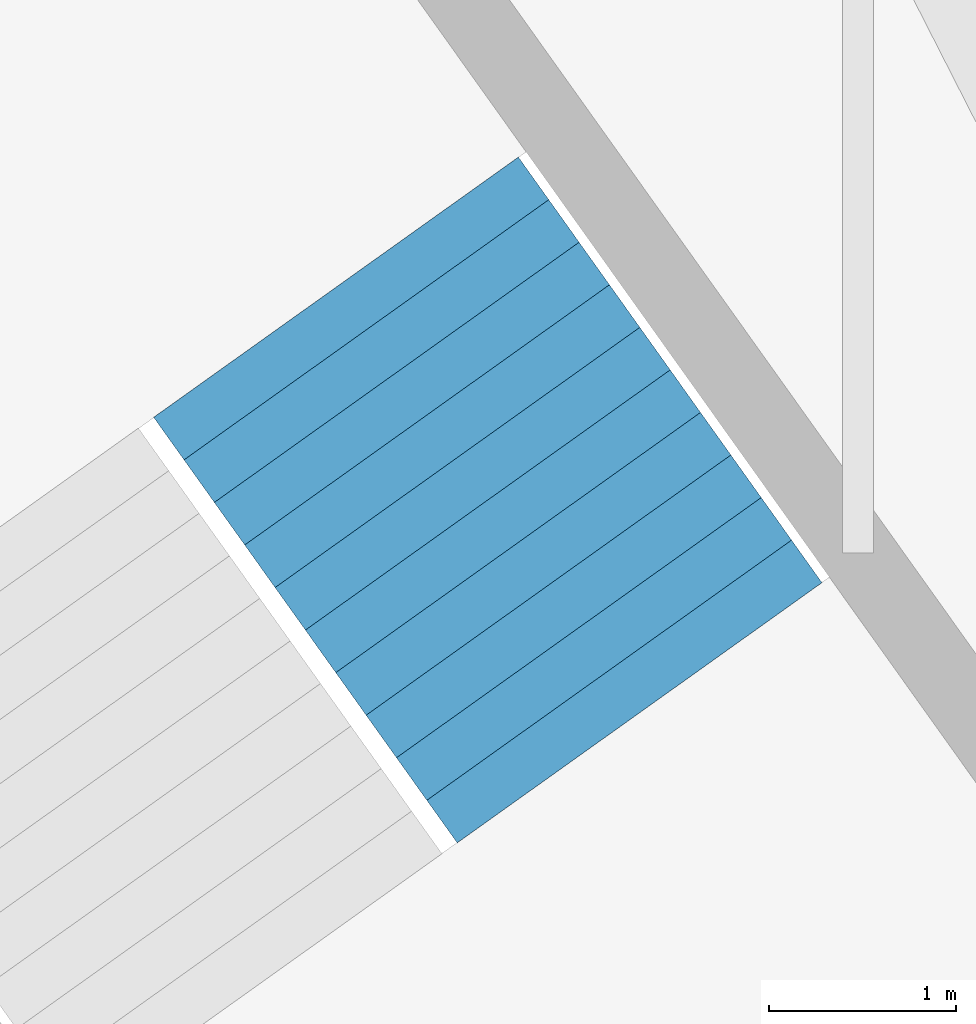
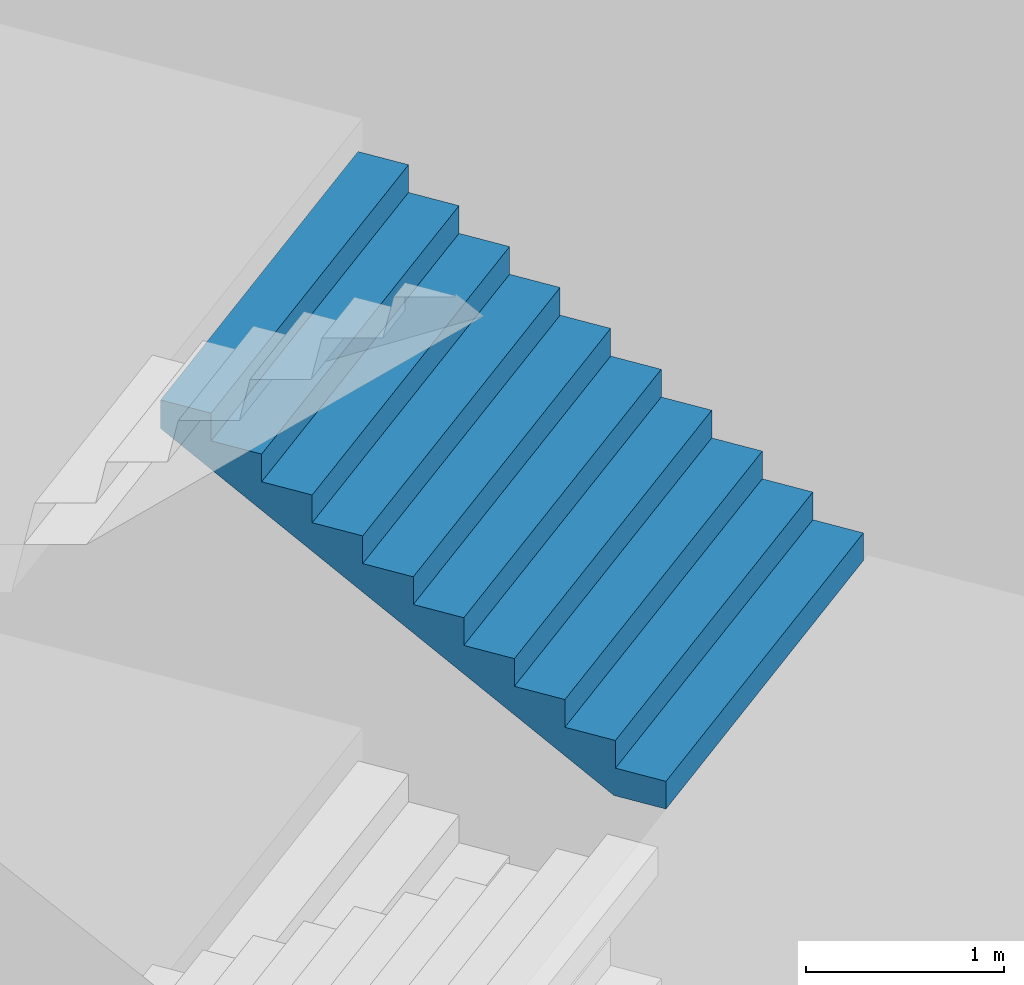
# One storey, part 44 of 73: 1 stair flight, 1 element without a shape of its own.
"""IFC4 building model written with IfcOpenShell, lengths in metres."""

from ifc_helpers import new_model, si_unit, direction, frame, origin, place, context, subcontext, project, spatial, triangles, material, type_object, element, aggregate, save


model = new_model("IFC4")

# Units and contexts
model_context = context("Model", 3, precision=1e-05, world=origin(), true_north=direction((0.0, 1.0)))
body_context = subcontext(model_context, "Body", "Model", "MODEL_VIEW")
ifc_project = project(units=[si_unit("LENGTHUNIT", "METRE"), si_unit("AREAUNIT", "SQUARE_METRE"), si_unit("VOLUMEUNIT", "CUBIC_METRE"), si_unit("PLANEANGLEUNIT", "RADIAN"), si_unit("MASSUNIT", "GRAM", prefix="KILO")], contexts=[model_context])

# Site, building, storey
site_placement = place(None, origin())
site = spatial("IfcSite", under=ifc_project, at=site_placement, CompositionType="ELEMENT")
building_placement = place(site_placement, origin())
building = spatial("IfcBuilding", under=site, at=building_placement, Name="Lantaw Convention Tower", CompositionType="ELEMENT")
storey_placement = place(building_placement, frame((0.0, 0.0, 14.5)))
storey = spatial("IfcBuildingStorey", under=building, at=storey_placement, Name="L02", CompositionType="ELEMENT", Elevation=14.5)

# Stair, stair flight
ifc_material = material(Name="Concrete C35/45", Category="concrete")
stair_type = type_object("IfcStairType", Name="Exit stair 2400 riser 170.45 in 4 flights", PredefinedType="HALF_TURN_STAIR", material=ifc_material)
stair_placement = place(storey_placement, origin())
stair = element("IfcStair", 1, at=stair_placement, inside=storey, type_object=stair_type, Name="Podium exit stair P6 L02", PredefinedType="HALF_TURN_STAIR")
stair_flight_type = type_object("IfcStairFlightType", Name="Stair flight 2400 riser 170.45", PredefinedType="STRAIGHT", material=ifc_material)
stair_flight_placement = place(storey_placement, frame((-16.97021484375, 25.944091796875, 3.75), z_axis=(0.0, 0.0, 1.0), x_axis=(-0.580702955711, 0.814115518356, 0.0)))
stair_flight = element("IfcStairFlight", 2, at=stair_flight_placement, type_object=stair_flight_type, Name="P6 flight 3", NumberOfRisers=11, NumberOfTreads=10, PredefinedType="STRAIGHT", RiserHeight=0.170454545, TreadLength=0.28, context=body_context, shape_type="Tessellation", body=[
    triangles([(0.0, 1.199951171875, 0.0), (0.0, 1.199951171875, 0.170454545), (0.28, 1.199951171875, 0.0), (0.28, 1.199951171875, 0.170454545), (0.28, 1.199951171875, 0.34090909), (0.28827876332691904, 1.199951171875, 0.0), (0.28827876332691904, 1.199951171875, 0.34090909), (0.56, 1.199951171875, 0.16541471344266906), (0.56, 1.199951171875, 0.34090909), (0.56, 1.199951171875, 0.511363635), (0.8400000000000001, 1.199951171875, 0.335869258442669), (0.8400000000000001, 1.199951171875, 0.511363635), (0.8400000000000001, 1.199951171875, 0.68181818), (1.12, 1.199951171875, 0.506323803442669), (1.12, 1.199951171875, 0.68181818), (1.12, 1.199951171875, 0.8522727250000001), (1.4000000000000001, 1.199951171875, 0.676778348442669), (1.4000000000000001, 1.199951171875, 0.8522727250000001), (1.4000000000000001, 1.199951171875, 1.02272727), (1.6800000000000002, 1.199951171875, 0.847232893442669), (1.6800000000000002, 1.199951171875, 1.02272727), (1.6800000000000002, 1.199951171875, 1.193181815), (1.9600000000000002, 1.199951171875, 1.017687438442669), (1.9600000000000002, 1.199951171875, 1.193181815), (1.9600000000000002, 1.199951171875, 1.36363636), (2.24, 1.199951171875, 1.188141983442669), (2.24, 1.199951171875, 1.36363636), (2.24, 1.199951171875, 1.5340909050000002), (2.5200000000000005, 1.199951171875, 1.358596528442669), (2.5200000000000005, 1.199951171875, 1.5340909050000002), (2.5200000000000005, 1.199951171875, 1.7045454500000001), (2.8000000000000003, 1.199951171875, 1.529051073442669), (2.8000000000000003, 1.199951171875, 1.7045454500000001), (0.0, -1.199951171875, 0.0), (0.0, -1.199951171875, 0.170454545), (0.28, -1.199951171875, 0.0), (0.28, -1.199951171875, 0.170454545), (0.28, -1.199951171875, 0.34090909), (0.28827876332691904, -1.199951171875, 0.0), (0.28827876332691904, -1.199951171875, 0.34090909), (0.56, -1.199951171875, 0.16541471344266906), (0.56, -1.199951171875, 0.34090909), (0.56, -1.199951171875, 0.511363635), (0.8400000000000001, -1.199951171875, 0.335869258442669), (0.8400000000000001, -1.199951171875, 0.511363635), (0.8400000000000001, -1.199951171875, 0.68181818), (1.12, -1.199951171875, 0.506323803442669), (1.12, -1.199951171875, 0.68181818), (1.12, -1.199951171875, 0.8522727250000001), (1.4000000000000001, -1.199951171875, 0.676778348442669), (1.4000000000000001, -1.199951171875, 0.8522727250000001), (1.4000000000000001, -1.199951171875, 1.02272727), (1.6800000000000002, -1.199951171875, 0.847232893442669), (1.6800000000000002, -1.199951171875, 1.02272727), (1.6800000000000002, -1.199951171875, 1.193181815), (1.9600000000000002, -1.199951171875, 1.017687438442669), (1.9600000000000002, -1.199951171875, 1.193181815), (1.9600000000000002, -1.199951171875, 1.36363636), (2.24, -1.199951171875, 1.188141983442669), (2.24, -1.199951171875, 1.36363636), (2.24, -1.199951171875, 1.5340909050000002), (2.5200000000000005, -1.199951171875, 1.358596528442669), (2.5200000000000005, -1.199951171875, 1.5340909050000002), (2.5200000000000005, -1.199951171875, 1.7045454500000001), (2.8000000000000003, -1.199951171875, 1.529051073442669), (2.8000000000000003, -1.199951171875, 1.7045454500000001), (0.0, 0.239990234375, 0.170454545), (0.0, 0.239990234375, 0.0), (0.0, 0.1199951171875, 0.170454545), (0.0, 0.1199951171875, 0.0), (0.0, 0.0, 0.170454545), (0.0, 0.0, 0.0), (0.0, -0.1199951171875, 0.170454545), (0.0, -0.1199951171875, 0.0), (0.0, -0.239990234375, 0.170454545), (0.0, -0.239990234375, 0.0), (0.28, 0.239990234375, 0.34090909), (0.28, 0.239990234375, 0.170454545), (0.28, 0.1199951171875, 0.34090909), (0.28, 0.1199951171875, 0.170454545), (0.28, 0.0, 0.34090909), (0.28, 0.0, 0.170454545), (0.28, -0.1199951171875, 0.34090909), (0.28, -0.1199951171875, 0.170454545), (0.28, -0.239990234375, 0.34090909), (0.28, -0.239990234375, 0.170454545), (0.56, 0.239990234375, 0.511363635), (0.56, 0.239990234375, 0.34090909), (0.56, 0.1199951171875, 0.511363635), (0.56, 0.1199951171875, 0.34090909), (0.56, 0.0, 0.511363635), (0.56, 0.0, 0.34090909), (0.56, -0.1199951171875, 0.511363635), (0.56, -0.1199951171875, 0.34090909), (0.56, -0.239990234375, 0.511363635), (0.56, -0.239990234375, 0.34090909), (0.8400000000000001, 0.239990234375, 0.68181818), (0.8400000000000001, 0.239990234375, 0.511363635), (0.8400000000000001, 0.1199951171875, 0.68181818), (0.8400000000000001, 0.1199951171875, 0.511363635), (0.8400000000000001, 0.0, 0.68181818), (0.8400000000000001, 0.0, 0.511363635), (0.8400000000000001, -0.1199951171875, 0.68181818), (0.8400000000000001, -0.1199951171875, 0.511363635), (0.8400000000000001, -0.239990234375, 0.68181818), (0.8400000000000001, -0.239990234375, 0.511363635), (1.12, 0.239990234375, 0.8522727250000001), (1.12, 0.239990234375, 0.68181818), (1.12, 0.1199951171875, 0.8522727250000001), (1.12, 0.1199951171875, 0.68181818), (1.12, 0.0, 0.8522727250000001), (1.12, 0.0, 0.68181818), (1.12, -0.1199951171875, 0.8522727250000001), (1.12, -0.1199951171875, 0.68181818), (1.12, -0.239990234375, 0.8522727250000001), (1.12, -0.239990234375, 0.68181818), (1.4000000000000001, 0.239990234375, 1.02272727), (1.4000000000000001, 0.239990234375, 0.8522727250000001), (1.4000000000000001, 0.1199951171875, 1.02272727), (1.4000000000000001, 0.1199951171875, 0.8522727250000001), (1.4000000000000001, 0.0, 1.02272727), (1.4000000000000001, 0.0, 0.8522727250000001), (1.4000000000000001, -0.1199951171875, 1.02272727), (1.4000000000000001, -0.1199951171875, 0.8522727250000001), (1.4000000000000001, -0.239990234375, 1.02272727), (1.4000000000000001, -0.239990234375, 0.8522727250000001), (1.6800000000000002, 0.239990234375, 1.193181815), (1.6800000000000002, 0.239990234375, 1.02272727), (1.6800000000000002, 0.1199951171875, 1.193181815), (1.6800000000000002, 0.1199951171875, 1.02272727), (1.6800000000000002, 0.0, 1.193181815), (1.6800000000000002, 0.0, 1.02272727), (1.6800000000000002, -0.1199951171875, 1.193181815), (1.6800000000000002, -0.1199951171875, 1.02272727), (1.6800000000000002, -0.239990234375, 1.193181815), (1.6800000000000002, -0.239990234375, 1.02272727), (1.9600000000000002, 0.239990234375, 1.36363636), (1.9600000000000002, 0.239990234375, 1.193181815), (1.9600000000000002, 0.1199951171875, 1.36363636), (1.9600000000000002, 0.1199951171875, 1.193181815), (1.9600000000000002, 0.0, 1.36363636), (1.9600000000000002, 0.0, 1.193181815), (1.9600000000000002, -0.1199951171875, 1.36363636), (1.9600000000000002, -0.1199951171875, 1.193181815), (1.9600000000000002, -0.239990234375, 1.36363636), (1.9600000000000002, -0.239990234375, 1.193181815), (2.24, 0.239990234375, 1.5340909050000002), (2.24, 0.239990234375, 1.36363636), (2.24, 0.1199951171875, 1.5340909050000002), (2.24, 0.1199951171875, 1.36363636), (2.24, 0.0, 1.5340909050000002), (2.24, 0.0, 1.36363636), (2.24, -0.1199951171875, 1.5340909050000002), (2.24, -0.1199951171875, 1.36363636), (2.24, -0.239990234375, 1.5340909050000002), (2.24, -0.239990234375, 1.36363636), (2.5200000000000005, 0.239990234375, 1.7045454500000001), (2.5200000000000005, 0.239990234375, 1.5340909050000002), (2.5200000000000005, 0.1199951171875, 1.7045454500000001), (2.5200000000000005, 0.1199951171875, 1.5340909050000002), (2.5200000000000005, 0.0, 1.7045454500000001), (2.5200000000000005, 0.0, 1.5340909050000002), (2.5200000000000005, -0.1199951171875, 1.7045454500000001), (2.5200000000000005, -0.1199951171875, 1.5340909050000002), (2.5200000000000005, -0.239990234375, 1.7045454500000001), (2.5200000000000005, -0.239990234375, 1.5340909050000002), (0.28827876332691904, 0.239990234375, 0.34090909), (0.28827876332691904, 0.1199951171875, 0.34090909), (0.28827876332691904, 0.0, 0.34090909), (0.28827876332691904, -0.1199951171875, 0.34090909), (0.28827876332691904, -0.239990234375, 0.34090909), (2.8000000000000003, 0.239990234375, 1.7045454500000001), (2.8000000000000003, 0.1199951171875, 1.7045454500000001), (2.8000000000000003, 0.0, 1.7045454500000001), (2.8000000000000003, -0.1199951171875, 1.7045454500000001), (2.8000000000000003, -0.239990234375, 1.7045454500000001), (2.8000000000000003, 0.239990234375, 1.5290510734426692), (2.8000000000000003, 0.1199951171875, 1.5290510734426692), (2.8000000000000003, 0.0, 1.5290510734426692), (2.8000000000000003, -0.1199951171875, 1.5290510734426692), (2.8000000000000003, -0.239990234375, 1.5290510734426692), (2.5200000000000005, 0.239990234375, 1.358596528442669), (2.5200000000000005, 0.1199951171875, 1.358596528442669), (2.5200000000000005, 0.0, 1.358596528442669), (2.5200000000000005, -0.1199951171875, 1.358596528442669), (2.5200000000000005, -0.239990234375, 1.358596528442669), (2.24, 0.239990234375, 1.188141983442669), (2.24, 0.1199951171875, 1.188141983442669), (2.24, 0.0, 1.188141983442669), (2.24, -0.1199951171875, 1.188141983442669), (2.24, -0.239990234375, 1.188141983442669), (1.9600000000000002, 0.239990234375, 1.017687438442669), (1.9600000000000002, 0.1199951171875, 1.017687438442669), (1.9600000000000002, 0.0, 1.017687438442669), (1.9600000000000002, -0.1199951171875, 1.017687438442669), (1.9600000000000002, -0.239990234375, 1.017687438442669), (1.6800000000000002, 0.239990234375, 0.847232893442669), (1.6800000000000002, 0.1199951171875, 0.847232893442669), (1.6800000000000002, 0.0, 0.847232893442669), (1.6800000000000002, -0.1199951171875, 0.847232893442669), (1.6800000000000002, -0.239990234375, 0.847232893442669), (1.4000000000000001, 0.239990234375, 0.676778348442669), (1.4000000000000001, 0.1199951171875, 0.676778348442669), (1.4000000000000001, 0.0, 0.676778348442669), (1.4000000000000001, -0.1199951171875, 0.676778348442669), (1.4000000000000001, -0.239990234375, 0.676778348442669), (1.12, 0.239990234375, 0.506323803442669), (1.12, 0.1199951171875, 0.506323803442669), (1.12, 0.0, 0.506323803442669), (1.12, -0.1199951171875, 0.506323803442669), (1.12, -0.239990234375, 0.506323803442669), (0.8400000000000001, 0.239990234375, 0.335869258442669), (0.8400000000000001, 0.1199951171875, 0.335869258442669), (0.8400000000000001, 0.0, 0.335869258442669), (0.8400000000000001, -0.1199951171875, 0.335869258442669), (0.8400000000000001, -0.239990234375, 0.335869258442669), (0.56, 0.239990234375, 0.16541471344266906), (0.56, 0.1199951171875, 0.16541471344266906), (0.56, 0.0, 0.16541471344266906), (0.56, -0.1199951171875, 0.16541471344266906), (0.56, -0.239990234375, 0.16541471344266906), (0.28827876332691904, 0.239990234375, 0.0), (0.28827876332691904, 0.1199951171875, 0.0), (0.28827876332691904, 0.0, 0.0), (0.28827876332691904, -0.1199951171875, 0.0), (0.28827876332691904, -0.239990234375, 0.0), (0.28, 0.239990234375, 0.0), (0.28, 0.1199951171875, 0.0), (0.28, 0.0, 0.0), (0.28, -0.1199951171875, 0.0), (0.28, -0.239990234375, 0.0)], [[1, 4, 3], [1, 2, 4], [3, 4, 6], [4, 7, 6], [4, 5, 7], [6, 9, 8], [6, 7, 9], [8, 9, 11], [9, 12, 11], [9, 10, 12], [11, 12, 14], [12, 15, 14], [12, 13, 15], [14, 15, 17], [15, 18, 17], [15, 16, 18], [17, 18, 20], [18, 21, 20], [18, 19, 21], [20, 21, 23], [21, 24, 23], [21, 22, 24], [23, 24, 26], [24, 27, 26], [24, 25, 27], [26, 27, 29], [27, 30, 29], [27, 28, 30], [29, 30, 32], [30, 33, 32], [30, 31, 33], [34, 36, 37], [34, 37, 35], [36, 39, 37], [37, 39, 40], [37, 40, 38], [39, 41, 42], [39, 42, 40], [41, 44, 42], [42, 44, 45], [42, 45, 43], [44, 47, 45], [45, 47, 48], [45, 48, 46], [47, 50, 48], [48, 50, 51], [48, 51, 49], [50, 53, 51], [51, 53, 54], [51, 54, 52], [53, 56, 54], [54, 56, 57], [54, 57, 55], [56, 59, 57], [57, 59, 60], [57, 60, 58], [59, 62, 60], [60, 62, 63], [60, 63, 61], [62, 65, 63], [63, 65, 66], [63, 66, 64], [1, 67, 2], [1, 68, 67], [68, 69, 67], [68, 70, 69], [70, 71, 69], [70, 72, 71], [72, 73, 71], [72, 74, 73], [74, 75, 73], [74, 76, 75], [76, 35, 75], [76, 34, 35], [4, 77, 5], [4, 78, 77], [78, 79, 77], [78, 80, 79], [80, 81, 79], [80, 82, 81], [82, 83, 81], [82, 84, 83], [84, 85, 83], [84, 86, 85], [86, 38, 85], [86, 37, 38], [9, 87, 10], [9, 88, 87], [88, 89, 87], [88, 90, 89], [90, 91, 89], [90, 92, 91], [92, 93, 91], [92, 94, 93], [94, 95, 93], [94, 96, 95], [96, 43, 95], [96, 42, 43], [12, 97, 13], [12, 98, 97], [98, 99, 97], [98, 100, 99], [100, 101, 99], [100, 102, 101], [102, 103, 101], [102, 104, 103], [104, 105, 103], [104, 106, 105], [106, 46, 105], [106, 45, 46], [15, 107, 16], [15, 108, 107], [108, 109, 107], [108, 110, 109], [110, 111, 109], [110, 112, 111], [112, 113, 111], [112, 114, 113], [114, 115, 113], [114, 116, 115], [116, 49, 115], [116, 48, 49], [18, 117, 19], [18, 118, 117], [118, 119, 117], [118, 120, 119], [120, 121, 119], [120, 122, 121], [122, 123, 121], [122, 124, 123], [124, 125, 123], [124, 126, 125], [126, 52, 125], [126, 51, 52], [21, 127, 22], [21, 128, 127], [128, 129, 127], [128, 130, 129], [130, 131, 129], [130, 132, 131], [132, 133, 131], [132, 134, 133], [134, 135, 133], [134, 136, 135], [136, 55, 135], [136, 54, 55], [24, 137, 25], [24, 138, 137], [138, 139, 137], [138, 140, 139], [140, 141, 139], [140, 142, 141], [142, 143, 141], [142, 144, 143], [144, 145, 143], [144, 146, 145], [146, 58, 145], [146, 57, 58], [27, 147, 28], [27, 148, 147], [148, 149, 147], [148, 150, 149], [150, 151, 149], [150, 152, 151], [152, 153, 151], [152, 154, 153], [154, 155, 153], [154, 156, 155], [156, 61, 155], [156, 60, 61], [30, 157, 31], [30, 158, 157], [158, 159, 157], [158, 160, 159], [160, 161, 159], [160, 162, 161], [162, 163, 161], [162, 164, 163], [164, 165, 163], [164, 166, 165], [166, 64, 165], [166, 63, 64], [2, 78, 4], [2, 67, 78], [67, 80, 78], [67, 69, 80], [69, 82, 80], [69, 71, 82], [71, 84, 82], [71, 73, 84], [73, 86, 84], [73, 75, 86], [75, 37, 86], [75, 35, 37], [5, 167, 7], [5, 77, 167], [77, 168, 167], [77, 79, 168], [79, 169, 168], [79, 81, 169], [81, 170, 169], [81, 83, 170], [83, 171, 170], [83, 85, 171], [85, 40, 171], [85, 38, 40], [7, 88, 9], [7, 167, 88], [167, 90, 88], [167, 168, 90], [168, 92, 90], [168, 169, 92], [169, 94, 92], [169, 170, 94], [170, 96, 94], [170, 171, 96], [171, 42, 96], [171, 40, 42], [10, 98, 12], [10, 87, 98], [87, 100, 98], [87, 89, 100], [89, 102, 100], [89, 91, 102], [91, 104, 102], [91, 93, 104], [93, 106, 104], [93, 95, 106], [95, 45, 106], [95, 43, 45], [13, 108, 15], [13, 97, 108], [97, 110, 108], [97, 99, 110], [99, 112, 110], [99, 101, 112], [101, 114, 112], [101, 103, 114], [103, 116, 114], [103, 105, 116], [105, 48, 116], [105, 46, 48], [16, 118, 18], [16, 107, 118], [107, 120, 118], [107, 109, 120], [109, 122, 120], [109, 111, 122], [111, 124, 122], [111, 113, 124], [113, 126, 124], [113, 115, 126], [115, 51, 126], [115, 49, 51], [19, 128, 21], [19, 117, 128], [117, 130, 128], [117, 119, 130], [119, 132, 130], [119, 121, 132], [121, 134, 132], [121, 123, 134], [123, 136, 134], [123, 125, 136], [125, 54, 136], [125, 52, 54], [22, 138, 24], [22, 127, 138], [127, 140, 138], [127, 129, 140], [129, 142, 140], [129, 131, 142], [131, 144, 142], [131, 133, 144], [133, 146, 144], [133, 135, 146], [135, 57, 146], [135, 55, 57], [25, 148, 27], [25, 137, 148], [137, 150, 148], [137, 139, 150], [139, 152, 150], [139, 141, 152], [141, 154, 152], [141, 143, 154], [143, 156, 154], [143, 145, 156], [145, 60, 156], [145, 58, 60], [28, 158, 30], [28, 147, 158], [147, 160, 158], [147, 149, 160], [149, 162, 160], [149, 151, 162], [151, 164, 162], [151, 153, 164], [153, 166, 164], [153, 155, 166], [155, 63, 166], [155, 61, 63], [31, 172, 33], [31, 157, 172], [157, 173, 172], [157, 159, 173], [159, 174, 173], [159, 161, 174], [161, 175, 174], [161, 163, 175], [163, 176, 175], [163, 165, 176], [165, 66, 176], [165, 64, 66], [33, 177, 32], [33, 172, 177], [172, 178, 177], [172, 173, 178], [173, 179, 178], [173, 174, 179], [174, 180, 179], [174, 175, 180], [175, 181, 180], [175, 176, 181], [176, 65, 181], [176, 66, 65], [32, 182, 29], [32, 177, 182], [177, 183, 182], [177, 178, 183], [178, 184, 183], [178, 179, 184], [179, 185, 184], [179, 180, 185], [180, 186, 185], [180, 181, 186], [181, 62, 186], [181, 65, 62], [29, 187, 26], [29, 182, 187], [182, 188, 187], [182, 183, 188], [183, 189, 188], [183, 184, 189], [184, 190, 189], [184, 185, 190], [185, 191, 190], [185, 186, 191], [186, 59, 191], [186, 62, 59], [26, 192, 23], [26, 187, 192], [187, 193, 192], [187, 188, 193], [188, 194, 193], [188, 189, 194], [189, 195, 194], [189, 190, 195], [190, 196, 195], [190, 191, 196], [191, 56, 196], [191, 59, 56], [23, 197, 20], [23, 192, 197], [192, 198, 197], [192, 193, 198], [193, 199, 198], [193, 194, 199], [194, 200, 199], [194, 195, 200], [195, 201, 200], [195, 196, 201], [196, 53, 201], [196, 56, 53], [20, 202, 17], [20, 197, 202], [197, 203, 202], [197, 198, 203], [198, 204, 203], [198, 199, 204], [199, 205, 204], [199, 200, 205], [200, 206, 205], [200, 201, 206], [201, 50, 206], [201, 53, 50], [17, 207, 14], [17, 202, 207], [202, 208, 207], [202, 203, 208], [203, 209, 208], [203, 204, 209], [204, 210, 209], [204, 205, 210], [205, 211, 210], [205, 206, 211], [206, 47, 211], [206, 50, 47], [14, 212, 11], [14, 207, 212], [207, 213, 212], [207, 208, 213], [208, 214, 213], [208, 209, 214], [209, 215, 214], [209, 210, 215], [210, 216, 215], [210, 211, 216], [211, 44, 216], [211, 47, 44], [11, 217, 8], [11, 212, 217], [212, 218, 217], [212, 213, 218], [213, 219, 218], [213, 214, 219], [214, 220, 219], [214, 215, 220], [215, 221, 220], [215, 216, 221], [216, 41, 221], [216, 44, 41], [8, 222, 6], [8, 217, 222], [217, 223, 222], [217, 218, 223], [218, 224, 223], [218, 219, 224], [219, 225, 224], [219, 220, 225], [220, 226, 225], [220, 221, 226], [221, 39, 226], [221, 41, 39], [6, 227, 3], [6, 222, 227], [222, 228, 227], [222, 223, 228], [223, 229, 228], [223, 224, 229], [224, 230, 229], [224, 225, 230], [225, 231, 230], [225, 226, 231], [226, 36, 231], [226, 39, 36], [3, 68, 1], [3, 227, 68], [227, 70, 68], [227, 228, 70], [228, 72, 70], [228, 229, 72], [229, 74, 72], [229, 230, 74], [230, 76, 74], [230, 231, 76], [231, 34, 76], [231, 36, 34]], closed=True),
])
aggregate(stair, [stair_flight])

save(model, "model.ifc")
